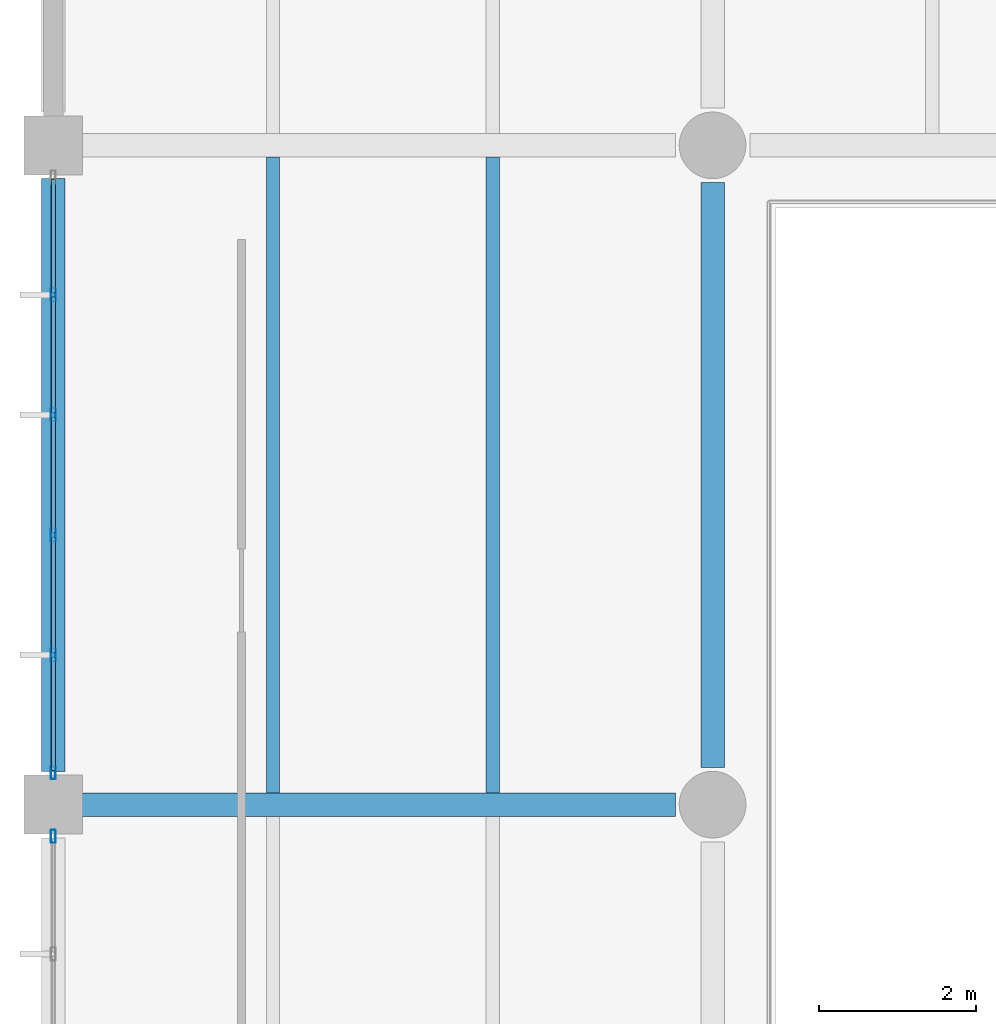
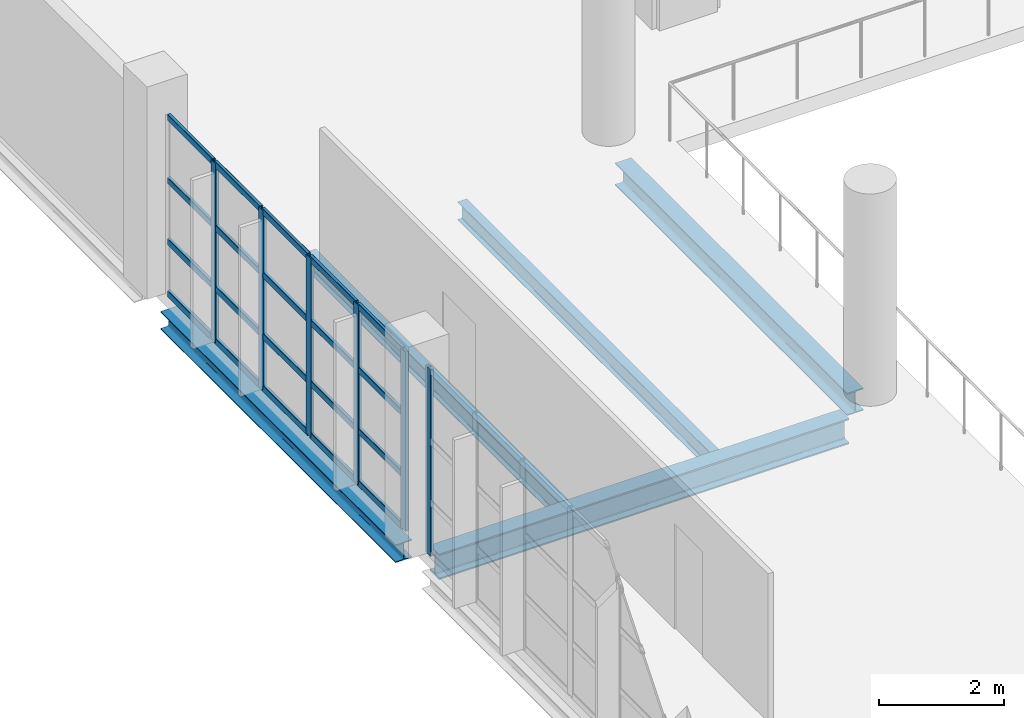
# One storey, part 52 of 177: 26 members, 5 beams, 2 elements without a shape of their own.
"""IFC4 building model written with IfcOpenShell, lengths in metres."""

from ifc_helpers import new_model, si_unit, direction, frame, origin, origin_2d, place, context, subcontext, project, spatial, hollow_rectangle, i_section, extrude, material, layer, layer_set, material_profile, profile_set, type_object, element, aggregate, save


model = new_model("IFC4")

# Units and contexts
model_context = context("Model", 3, precision=1e-05, world=origin(), true_north=direction((0.0, 1.0)))
body_context = subcontext(model_context, "Body", "Model", "MODEL_VIEW")
ifc_project = project(units=[si_unit("LENGTHUNIT", "METRE"), si_unit("AREAUNIT", "SQUARE_METRE"), si_unit("VOLUMEUNIT", "CUBIC_METRE"), si_unit("PLANEANGLEUNIT", "RADIAN"), si_unit("MASSUNIT", "GRAM", prefix="KILO"), si_unit("THERMODYNAMICTEMPERATUREUNIT", "KELVIN"), si_unit("POWERUNIT", "WATT")], contexts=[model_context])

# Site, building, storey
site_placement = place(None, origin())
site = spatial("IfcSite", under=ifc_project, at=site_placement, CompositionType="ELEMENT")
building_placement = place(site_placement, origin())
building = spatial("IfcBuilding", under=site, at=building_placement, Name="Mavoryth Pier Ferry Terminal", CompositionType="ELEMENT")
storey_placement = place(building_placement, frame((0.0, 0.0, 5.43994140625)))
storey = spatial("IfcBuildingStorey", under=building, at=storey_placement, Name="L01", CompositionType="ELEMENT", Elevation=5.43994140625)

# Beams
ifc_material_1 = material(Name="Steel S355J2", Category="steel")
ifc_material_profile_1 = material_profile(ifc_material_1, i_section(OverallWidth=0.300048828125, OverallDepth=0.43994140625, WebThickness=0.011474609375, FlangeThickness=0.02099609375, FilletRadius=0.027099609375, at=origin_2d()), Name="HEA 450", Category="steel")
ifc_profile_set_1 = profile_set([ifc_material_profile_1], Name="Steel S355J2 - HEA 450")
beam_type_1 = type_object("IfcBeamType", Name="Beam-Steel-HEA450", PredefinedType="BEAM", material=ifc_profile_set_1)
beam_1_placement = place(storey_placement, frame((8.39990234375, 72.875, -0.5), z_axis=(0.0, 1.0, 0.0), x_axis=(-1.0, 0.0, 0.0)))
element("IfcBeam", 1, at=beam_1_placement, inside=storey, type_object=beam_type_1, Name="Beam B01-SB03-0088", PredefinedType="BEAM", context=body_context, shape_type="SweptSolid", body=[
    extrude(i_section(OverallWidth=0.300048828125, OverallDepth=0.43994140625, WebThickness=0.011474609375, FlangeThickness=0.02099609375, FilletRadius=0.027099609375, at=origin_2d()), origin(), (0.0, 0.0, 1.0), 7.449951171875),
])
ifc_material_profile_2 = material_profile(ifc_material_1, i_section(OverallWidth=0.300048828125, OverallDepth=0.5, WebThickness=0.014404296875, FlangeThickness=0.028076171875, FilletRadius=0.027099609375, at=origin_2d()), Name="HEB 500", Category="steel")
ifc_profile_set_2 = profile_set([ifc_material_profile_2], Name="Steel S355J2 - HEB 500")
beam_type_2 = type_object("IfcBeamType", Name="Beam-Steel-HEB500", PredefinedType="BEAM", material=ifc_profile_set_2)
beam_2_placement = place(storey_placement, frame((0.324951171875, 72.39990234375, -0.530029296875), z_axis=(1.0, 0.0, 0.0), x_axis=(0.0, 1.0, 0.0)))
element("IfcBeam", 2, at=beam_2_placement, inside=storey, type_object=beam_type_2, Name="Beam B01-SB01-0060", PredefinedType="BEAM", context=body_context, shape_type="SweptSolid", body=[
    extrude(i_section(OverallWidth=0.300048828125, OverallDepth=0.5, WebThickness=0.014404296875, FlangeThickness=0.028076171875, FilletRadius=0.027099609375, at=origin_2d()), origin(), (0.0, 0.0, 1.0), 7.60009765625),
])
ifc_material_profile_3 = material_profile(ifc_material_1, i_section(OverallWidth=0.169921875, OverallDepth=0.360107421875, WebThickness=0.008056640625, FlangeThickness=0.0126953125, FilletRadius=0.01806640625, at=origin_2d()), Name="IPE 360", Category="steel")
ifc_profile_set_3 = profile_set([ifc_material_profile_3], Name="Steel S355J2 - IPE 360")
beam_type_3 = type_object("IfcBeamType", Name="Joist-Steel-IPE360", PredefinedType="JOIST", material=ifc_profile_set_3)
for number, where, z_axis, x_axis, name in (
    (3, (2.800048828125, 72.550048828125, -0.4599609375), (0.0, 1.0, 0.0), (-1.0, 0.0, 0.0), "Beam B01-SJ02-0115"),
    (4, (5.60009765625, 72.550048828125, -0.4599609375), (0.0, 1.0, 0.0), (-1.0, 0.0, 0.0), "Beam B01-SJ02-0116"),
):
    element("IfcBeam", number, at=place(storey_placement, frame(where, z_axis=z_axis, x_axis=x_axis)), inside=storey, type_object=beam_type_3, Name=name, PredefinedType="JOIST", context=body_context, shape_type="SweptSolid", body=[
        extrude(i_section(OverallWidth=0.169921875, OverallDepth=0.360107421875, WebThickness=0.008056640625, FlangeThickness=0.0126953125, FilletRadius=0.01806640625, at=origin_2d()), origin(), (0.0, 0.0, 1.0), 8.099853515625),
    ])

# Curtain wall, member
ifc_material_2 = material(Name="Anodised Aluminium and Solar-Control Low-E Glass", Category="aluminium")
ifc_layer = layer(ifc_material_2, 0.179931640625, Name="Anodised Aluminium and Solar-Control Low-E Glass", Category="aluminium")
ifc_layer_set = layer_set([ifc_layer], Name="Anodised Aluminium and Solar-Control Low-E Glass - CW-Concourse-Mod1400")
curtain_wall_type = type_object("IfcCurtainWallType", Name="CW-Concourse-Mod1400", PredefinedType="USERDEFINED", material=ifc_layer_set)
curtain_wall_1_placement = place(storey_placement, origin())
curtain_wall_1 = element("IfcCurtainWall", 5, at=curtain_wall_1_placement, inside=storey, type_object=curtain_wall_type, Name="Curtain Wall CW-0122-015", ObjectType="UNITISED CURTAIN WALL", PredefinedType="USERDEFINED")
ifc_material_3 = material(Name="Anodised Aluminium EN AW-6063", Category="aluminium")
ifc_material_profile_4 = material_profile(ifc_material_3, hollow_rectangle(XDim=0.06005859375, YDim=0.1650390625, WallThickness=0.00390625, InnerFilletRadius=0.00390625, OuterFilletRadius=0.008056640625, at=origin_2d()), Name="AL-MULL 165x60x4", Category="aluminium")
ifc_profile_set_4 = profile_set([ifc_material_profile_4], Name="Anodised Aluminium EN AW-6063 - AL-MULL 165x60x4")
member_type_1 = type_object("IfcMemberType", Name="Mullion-Alum-165x60", PredefinedType="MULLION", material=ifc_profile_set_4)
member_1_placement = place(storey_placement, frame((0.0, 71.9951171875, 0.0), z_axis=(0.0, 0.0, 1.0), x_axis=(1.0, 0.0, 0.0)))
member_1 = element("IfcMember", 6, at=member_1_placement, type_object=member_type_1, Name="CW01 mullion 1", PredefinedType="MULLION", context=body_context, shape_type="SweptSolid", body=[
    extrude(hollow_rectangle(XDim=0.06005859375, YDim=0.1650390625, WallThickness=0.00390625, InnerFilletRadius=0.00390625, OuterFilletRadius=0.008056640625, at=origin_2d()), origin(), (0.0, 0.0, 1.0), 3.66015625),
])
aggregate(curtain_wall_1, [member_1])

# Curtain wall, members
curtain_wall_2_placement = place(storey_placement, origin())
curtain_wall_2 = element("IfcCurtainWall", 7, at=curtain_wall_2_placement, inside=storey, type_object=curtain_wall_type, Name="Curtain Wall CW-0122-019", ObjectType="UNITISED CURTAIN WALL", PredefinedType="USERDEFINED")
member_2_placement = place(storey_placement, frame((0.0, 78.89501953125, 0.0), z_axis=(0.0, 0.0, 1.0), x_axis=(1.0, 0.0, 0.0)))
member_2 = element("IfcMember", 8, at=member_2_placement, type_object=member_type_1, Name="CW01 mullion 2", PredefinedType="MULLION", context=body_context, shape_type="SweptSolid", body=[
    extrude(hollow_rectangle(XDim=0.06005859375, YDim=0.1650390625, WallThickness=0.00390625, InnerFilletRadius=0.00390625, OuterFilletRadius=0.008056640625, at=origin_2d()), origin(), (0.0, 0.0, 1.0), 3.51513671875),
])
member_3_placement = place(storey_placement, frame((0.0, 77.364990234375, 0.0), z_axis=(0.0, 0.0, 1.0), x_axis=(1.0, 0.0, 0.0)))
member_3 = element("IfcMember", 9, at=member_3_placement, type_object=member_type_1, Name="CW01 mullion 3", PredefinedType="MULLION", context=body_context, shape_type="SweptSolid", body=[
    extrude(hollow_rectangle(XDim=0.06005859375, YDim=0.1650390625, WallThickness=0.00390625, InnerFilletRadius=0.00390625, OuterFilletRadius=0.008056640625, at=origin_2d()), origin(), (0.0, 0.0, 1.0), 3.51513671875),
])
member_4_placement = place(storey_placement, frame((0.0, 75.8349609375, 0.0), z_axis=(0.0, 0.0, 1.0), x_axis=(1.0, 0.0, 0.0)))
member_4 = element("IfcMember", 10, at=member_4_placement, type_object=member_type_1, Name="CW01 mullion 4", PredefinedType="MULLION", context=body_context, shape_type="SweptSolid", body=[
    extrude(hollow_rectangle(XDim=0.06005859375, YDim=0.1650390625, WallThickness=0.00390625, InnerFilletRadius=0.00390625, OuterFilletRadius=0.008056640625, at=origin_2d()), origin(), (0.0, 0.0, 1.0), 3.51513671875),
])
member_5_placement = place(storey_placement, frame((0.0, 74.304931640625, 0.0), z_axis=(0.0, 0.0, 1.0), x_axis=(1.0, 0.0, 0.0)))
member_5 = element("IfcMember", 11, at=member_5_placement, type_object=member_type_1, Name="CW01 mullion 5", PredefinedType="MULLION", context=body_context, shape_type="SweptSolid", body=[
    extrude(hollow_rectangle(XDim=0.06005859375, YDim=0.1650390625, WallThickness=0.00390625, InnerFilletRadius=0.00390625, OuterFilletRadius=0.008056640625, at=origin_2d()), origin(), (0.0, 0.0, 1.0), 3.51513671875),
])
member_6_placement = place(storey_placement, frame((0.0, 72.804931640625, 0.0), z_axis=(0.0, 0.0, 1.0), x_axis=(1.0, 0.0, 0.0)))
member_6 = element("IfcMember", 12, at=member_6_placement, type_object=member_type_1, Name="CW01 mullion 6", PredefinedType="MULLION", context=body_context, shape_type="SweptSolid", body=[
    extrude(hollow_rectangle(XDim=0.06005859375, YDim=0.1650390625, WallThickness=0.00390625, InnerFilletRadius=0.00390625, OuterFilletRadius=0.008056640625, at=origin_2d()), origin(), (0.0, 0.0, 1.0), 3.51513671875),
])

# Beam
ifc_material_profile_5 = material_profile(ifc_material_1, i_section(OverallWidth=0.300048828125, OverallDepth=0.35009765625, WebThickness=0.010009765625, FlangeThickness=0.017578125, FilletRadius=0.027099609375, at=origin_2d()), Name="HEA 360", Category="steel")
ifc_profile_set_5 = profile_set([ifc_material_profile_5], Name="Steel S355J2 - HEA 360")
beam_type_4 = type_object("IfcBeamType", Name="Spandrel-Steel-HEA360", PredefinedType="SPANDREL", material=ifc_profile_set_5)
beam_3_placement = place(storey_placement, frame((0.0, 72.824951171875, -0.454833984375), z_axis=(0.0, 1.0, 0.0), x_axis=(-1.0, 0.0, 0.0)))
element("IfcBeam", 13, at=beam_3_placement, inside=storey, type_object=beam_type_4, Name="Beam B01-SP03-0081", PredefinedType="SPANDREL", context=body_context, shape_type="SweptSolid", body=[
    extrude(i_section(OverallWidth=0.300048828125, OverallDepth=0.35009765625, WebThickness=0.010009765625, FlangeThickness=0.017578125, FilletRadius=0.027099609375, at=origin_2d()), origin(), (0.0, 0.0, 1.0), 7.550048828125),
])

# Member
ifc_material_profile_6 = material_profile(ifc_material_3, hollow_rectangle(XDim=0.06005859375, YDim=0.125, WallThickness=0.00390625, InnerFilletRadius=0.00390625, OuterFilletRadius=0.008056640625, at=origin_2d()), Name="AL-TRAN 125x60x4", Category="aluminium")
ifc_profile_set_6 = profile_set([ifc_material_profile_6], Name="Anodised Aluminium EN AW-6063 - AL-TRAN 125x60x4")
member_type_2 = type_object("IfcMemberType", Name="Transom-Alum-125x60", PredefinedType="USERDEFINED", material=ifc_profile_set_6)
member_7_placement = place(storey_placement, frame((0.0, 80.364990234375, 0.030029296875), z_axis=(0.0, -1.0, 0.0), x_axis=(1.0, 0.0, 0.0)))
member_7 = element("IfcMember", 14, at=member_7_placement, type_object=member_type_2, Name="CW01 transom 1.1", ObjectType="TRANSOM", PredefinedType="USERDEFINED", context=body_context, shape_type="SweptSolid", body=[
    extrude(hollow_rectangle(XDim=0.06005859375, YDim=0.125, WallThickness=0.00390625, InnerFilletRadius=0.00390625, OuterFilletRadius=0.008056640625, at=origin_2d()), origin(), (0.0, 0.0, 1.0), 1.43994140625),
])

member_8_placement = place(storey_placement, frame((0.0, 80.364990234375, 1.050048828125), z_axis=(0.0, -1.0, 0.0), x_axis=(1.0, 0.0, 0.0)))
member_8 = element("IfcMember", 15, at=member_8_placement, type_object=member_type_2, Name="CW01 transom 1.2", ObjectType="TRANSOM", PredefinedType="USERDEFINED", context=body_context, shape_type="SweptSolid", body=[
    extrude(hollow_rectangle(XDim=0.06005859375, YDim=0.125, WallThickness=0.00390625, InnerFilletRadius=0.00390625, OuterFilletRadius=0.008056640625, at=origin_2d()), origin(), (0.0, 0.0, 1.0), 1.43994140625),
])

member_9_placement = place(storey_placement, frame((0.0, 80.364990234375, 2.25), z_axis=(0.0, -1.0, 0.0), x_axis=(1.0, 0.0, 0.0)))
member_9 = element("IfcMember", 16, at=member_9_placement, type_object=member_type_2, Name="CW01 transom 1.3", ObjectType="TRANSOM", PredefinedType="USERDEFINED", context=body_context, shape_type="SweptSolid", body=[
    extrude(hollow_rectangle(XDim=0.06005859375, YDim=0.125, WallThickness=0.00390625, InnerFilletRadius=0.00390625, OuterFilletRadius=0.008056640625, at=origin_2d()), origin(), (0.0, 0.0, 1.0), 1.43994140625),
])

member_10_placement = place(storey_placement, frame((0.0, 80.364990234375, 3.485107421875), z_axis=(0.0, -1.0, 0.0), x_axis=(1.0, 0.0, 0.0)))
member_10 = element("IfcMember", 17, at=member_10_placement, type_object=member_type_2, Name="CW01 transom 1.4", ObjectType="TRANSOM", PredefinedType="USERDEFINED", context=body_context, shape_type="SweptSolid", body=[
    extrude(hollow_rectangle(XDim=0.06005859375, YDim=0.125, WallThickness=0.00390625, InnerFilletRadius=0.00390625, OuterFilletRadius=0.008056640625, at=origin_2d()), origin(), (0.0, 0.0, 1.0), 1.43994140625),
])

member_11_placement = place(storey_placement, frame((0.0, 78.864990234375, 0.030029296875), z_axis=(0.0, -1.0, 0.0), x_axis=(1.0, 0.0, 0.0)))
member_11 = element("IfcMember", 18, at=member_11_placement, type_object=member_type_2, Name="CW01 transom 2.1", ObjectType="TRANSOM", PredefinedType="USERDEFINED", context=body_context, shape_type="SweptSolid", body=[
    extrude(hollow_rectangle(XDim=0.06005859375, YDim=0.125, WallThickness=0.00390625, InnerFilletRadius=0.00390625, OuterFilletRadius=0.008056640625, at=origin_2d()), origin(), (0.0, 0.0, 1.0), 1.469970703125),
])

member_12_placement = place(storey_placement, frame((0.0, 78.864990234375, 1.050048828125), z_axis=(0.0, -1.0, 0.0), x_axis=(1.0, 0.0, 0.0)))
member_12 = element("IfcMember", 19, at=member_12_placement, type_object=member_type_2, Name="CW01 transom 2.2", ObjectType="TRANSOM", PredefinedType="USERDEFINED", context=body_context, shape_type="SweptSolid", body=[
    extrude(hollow_rectangle(XDim=0.06005859375, YDim=0.125, WallThickness=0.00390625, InnerFilletRadius=0.00390625, OuterFilletRadius=0.008056640625, at=origin_2d()), origin(), (0.0, 0.0, 1.0), 1.469970703125),
])

member_13_placement = place(storey_placement, frame((0.0, 78.864990234375, 2.25), z_axis=(0.0, -1.0, 0.0), x_axis=(1.0, 0.0, 0.0)))
member_13 = element("IfcMember", 20, at=member_13_placement, type_object=member_type_2, Name="CW01 transom 2.3", ObjectType="TRANSOM", PredefinedType="USERDEFINED", context=body_context, shape_type="SweptSolid", body=[
    extrude(hollow_rectangle(XDim=0.06005859375, YDim=0.125, WallThickness=0.00390625, InnerFilletRadius=0.00390625, OuterFilletRadius=0.008056640625, at=origin_2d()), origin(), (0.0, 0.0, 1.0), 1.469970703125),
])

member_14_placement = place(storey_placement, frame((0.0, 78.864990234375, 3.485107421875), z_axis=(0.0, -1.0, 0.0), x_axis=(1.0, 0.0, 0.0)))
member_14 = element("IfcMember", 21, at=member_14_placement, type_object=member_type_2, Name="CW01 transom 2.4", ObjectType="TRANSOM", PredefinedType="USERDEFINED", context=body_context, shape_type="SweptSolid", body=[
    extrude(hollow_rectangle(XDim=0.06005859375, YDim=0.125, WallThickness=0.00390625, InnerFilletRadius=0.00390625, OuterFilletRadius=0.008056640625, at=origin_2d()), origin(), (0.0, 0.0, 1.0), 1.469970703125),
])

member_15_placement = place(storey_placement, frame((0.0, 77.3349609375, 0.030029296875), z_axis=(0.0, -1.0, 0.0), x_axis=(1.0, 0.0, 0.0)))
member_15 = element("IfcMember", 22, at=member_15_placement, type_object=member_type_2, Name="CW01 transom 3.1", ObjectType="TRANSOM", PredefinedType="USERDEFINED", context=body_context, shape_type="SweptSolid", body=[
    extrude(hollow_rectangle(XDim=0.06005859375, YDim=0.125, WallThickness=0.00390625, InnerFilletRadius=0.00390625, OuterFilletRadius=0.008056640625, at=origin_2d()), origin(), (0.0, 0.0, 1.0), 1.469970703125),
])

member_16_placement = place(storey_placement, frame((0.0, 77.3349609375, 1.050048828125), z_axis=(0.0, -1.0, 0.0), x_axis=(1.0, 0.0, 0.0)))
member_16 = element("IfcMember", 23, at=member_16_placement, type_object=member_type_2, Name="CW01 transom 3.2", ObjectType="TRANSOM", PredefinedType="USERDEFINED", context=body_context, shape_type="SweptSolid", body=[
    extrude(hollow_rectangle(XDim=0.06005859375, YDim=0.125, WallThickness=0.00390625, InnerFilletRadius=0.00390625, OuterFilletRadius=0.008056640625, at=origin_2d()), origin(), (0.0, 0.0, 1.0), 1.469970703125),
])

member_17_placement = place(storey_placement, frame((0.0, 77.3349609375, 2.25), z_axis=(0.0, -1.0, 0.0), x_axis=(1.0, 0.0, 0.0)))
member_17 = element("IfcMember", 24, at=member_17_placement, type_object=member_type_2, Name="CW01 transom 3.3", ObjectType="TRANSOM", PredefinedType="USERDEFINED", context=body_context, shape_type="SweptSolid", body=[
    extrude(hollow_rectangle(XDim=0.06005859375, YDim=0.125, WallThickness=0.00390625, InnerFilletRadius=0.00390625, OuterFilletRadius=0.008056640625, at=origin_2d()), origin(), (0.0, 0.0, 1.0), 1.469970703125),
])

member_18_placement = place(storey_placement, frame((0.0, 77.3349609375, 3.485107421875), z_axis=(0.0, -1.0, 0.0), x_axis=(1.0, 0.0, 0.0)))
member_18 = element("IfcMember", 25, at=member_18_placement, type_object=member_type_2, Name="CW01 transom 3.4", ObjectType="TRANSOM", PredefinedType="USERDEFINED", context=body_context, shape_type="SweptSolid", body=[
    extrude(hollow_rectangle(XDim=0.06005859375, YDim=0.125, WallThickness=0.00390625, InnerFilletRadius=0.00390625, OuterFilletRadius=0.008056640625, at=origin_2d()), origin(), (0.0, 0.0, 1.0), 1.469970703125),
])

member_19_placement = place(storey_placement, frame((0.0, 75.804931640625, 0.030029296875), z_axis=(0.0, -1.0, 0.0), x_axis=(1.0, 0.0, 0.0)))
member_19 = element("IfcMember", 26, at=member_19_placement, type_object=member_type_2, Name="CW01 transom 4.1", ObjectType="TRANSOM", PredefinedType="USERDEFINED", context=body_context, shape_type="SweptSolid", body=[
    extrude(hollow_rectangle(XDim=0.06005859375, YDim=0.125, WallThickness=0.00390625, InnerFilletRadius=0.00390625, OuterFilletRadius=0.008056640625, at=origin_2d()), origin(), (0.0, 0.0, 1.0), 1.469970703125),
])

member_20_placement = place(storey_placement, frame((0.0, 75.804931640625, 1.050048828125), z_axis=(0.0, -1.0, 0.0), x_axis=(1.0, 0.0, 0.0)))
member_20 = element("IfcMember", 27, at=member_20_placement, type_object=member_type_2, Name="CW01 transom 4.2", ObjectType="TRANSOM", PredefinedType="USERDEFINED", context=body_context, shape_type="SweptSolid", body=[
    extrude(hollow_rectangle(XDim=0.06005859375, YDim=0.125, WallThickness=0.00390625, InnerFilletRadius=0.00390625, OuterFilletRadius=0.008056640625, at=origin_2d()), origin(), (0.0, 0.0, 1.0), 1.469970703125),
])

member_21_placement = place(storey_placement, frame((0.0, 75.804931640625, 2.25), z_axis=(0.0, -1.0, 0.0), x_axis=(1.0, 0.0, 0.0)))
member_21 = element("IfcMember", 28, at=member_21_placement, type_object=member_type_2, Name="CW01 transom 4.3", ObjectType="TRANSOM", PredefinedType="USERDEFINED", context=body_context, shape_type="SweptSolid", body=[
    extrude(hollow_rectangle(XDim=0.06005859375, YDim=0.125, WallThickness=0.00390625, InnerFilletRadius=0.00390625, OuterFilletRadius=0.008056640625, at=origin_2d()), origin(), (0.0, 0.0, 1.0), 1.469970703125),
])

member_22_placement = place(storey_placement, frame((0.0, 75.804931640625, 3.485107421875), z_axis=(0.0, -1.0, 0.0), x_axis=(1.0, 0.0, 0.0)))
member_22 = element("IfcMember", 29, at=member_22_placement, type_object=member_type_2, Name="CW01 transom 4.4", ObjectType="TRANSOM", PredefinedType="USERDEFINED", context=body_context, shape_type="SweptSolid", body=[
    extrude(hollow_rectangle(XDim=0.06005859375, YDim=0.125, WallThickness=0.00390625, InnerFilletRadius=0.00390625, OuterFilletRadius=0.008056640625, at=origin_2d()), origin(), (0.0, 0.0, 1.0), 1.469970703125),
])

member_23_placement = place(storey_placement, frame((0.0, 74.27490234375, 0.030029296875), z_axis=(0.0, -1.0, 0.0), x_axis=(1.0, 0.0, 0.0)))
member_23 = element("IfcMember", 30, at=member_23_placement, type_object=member_type_2, Name="CW01 transom 5.1", ObjectType="TRANSOM", PredefinedType="USERDEFINED", context=body_context, shape_type="SweptSolid", body=[
    extrude(hollow_rectangle(XDim=0.06005859375, YDim=0.125, WallThickness=0.00390625, InnerFilletRadius=0.00390625, OuterFilletRadius=0.008056640625, at=origin_2d()), origin(), (0.0, 0.0, 1.0), 1.43994140625),
])

member_24_placement = place(storey_placement, frame((0.0, 74.27490234375, 1.050048828125), z_axis=(0.0, -1.0, 0.0), x_axis=(1.0, 0.0, 0.0)))
member_24 = element("IfcMember", 31, at=member_24_placement, type_object=member_type_2, Name="CW01 transom 5.2", ObjectType="TRANSOM", PredefinedType="USERDEFINED", context=body_context, shape_type="SweptSolid", body=[
    extrude(hollow_rectangle(XDim=0.06005859375, YDim=0.125, WallThickness=0.00390625, InnerFilletRadius=0.00390625, OuterFilletRadius=0.008056640625, at=origin_2d()), origin(), (0.0, 0.0, 1.0), 1.43994140625),
])

member_25_placement = place(storey_placement, frame((0.0, 74.27490234375, 2.25), z_axis=(0.0, -1.0, 0.0), x_axis=(1.0, 0.0, 0.0)))
member_25 = element("IfcMember", 32, at=member_25_placement, type_object=member_type_2, Name="CW01 transom 5.3", ObjectType="TRANSOM", PredefinedType="USERDEFINED", context=body_context, shape_type="SweptSolid", body=[
    extrude(hollow_rectangle(XDim=0.06005859375, YDim=0.125, WallThickness=0.00390625, InnerFilletRadius=0.00390625, OuterFilletRadius=0.008056640625, at=origin_2d()), origin(), (0.0, 0.0, 1.0), 1.43994140625),
])

member_26_placement = place(storey_placement, frame((0.0, 74.27490234375, 3.485107421875), z_axis=(0.0, -1.0, 0.0), x_axis=(1.0, 0.0, 0.0)))
member_26 = element("IfcMember", 33, at=member_26_placement, type_object=member_type_2, Name="CW01 transom 5.4", ObjectType="TRANSOM", PredefinedType="USERDEFINED", context=body_context, shape_type="SweptSolid", body=[
    extrude(hollow_rectangle(XDim=0.06005859375, YDim=0.125, WallThickness=0.00390625, InnerFilletRadius=0.00390625, OuterFilletRadius=0.008056640625, at=origin_2d()), origin(), (0.0, 0.0, 1.0), 1.43994140625),
])

aggregate(curtain_wall_2, [member_2, member_3, member_4, member_5, member_6, member_7, member_8, member_9, member_10, member_11, member_12, member_13, member_14, member_15, member_16, member_17, member_18, member_19, member_20, member_21, member_22, member_23, member_24, member_25, member_26])

save(model, "model.ifc")
